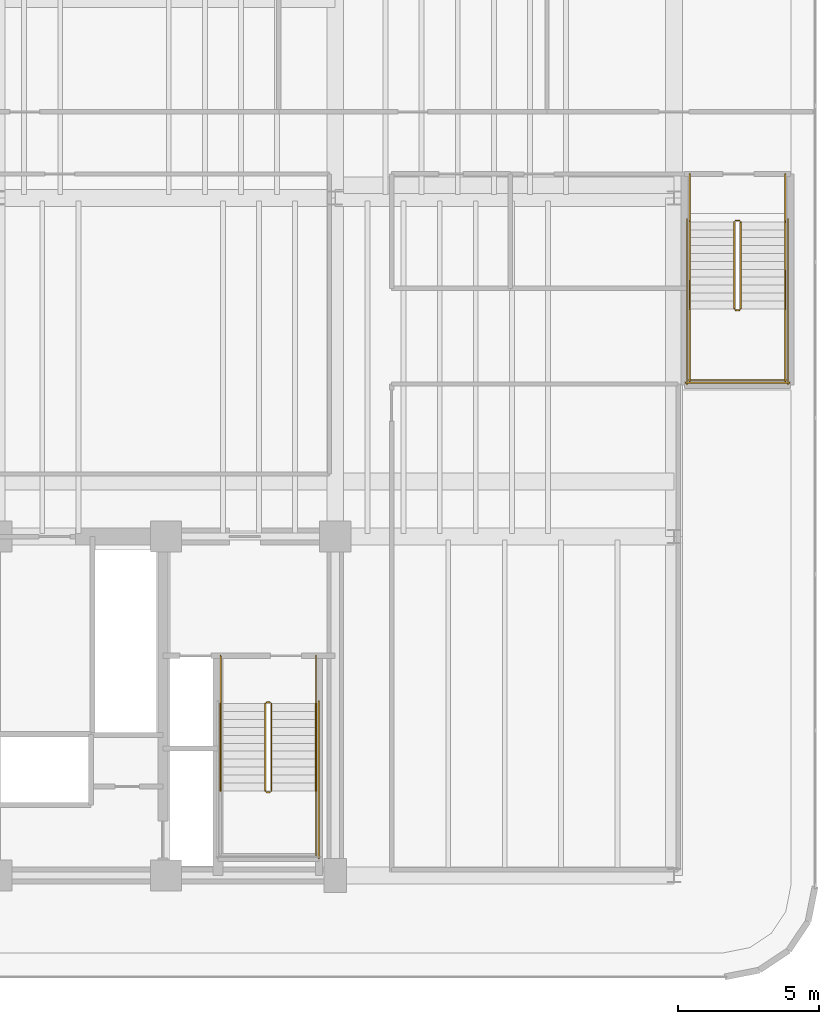
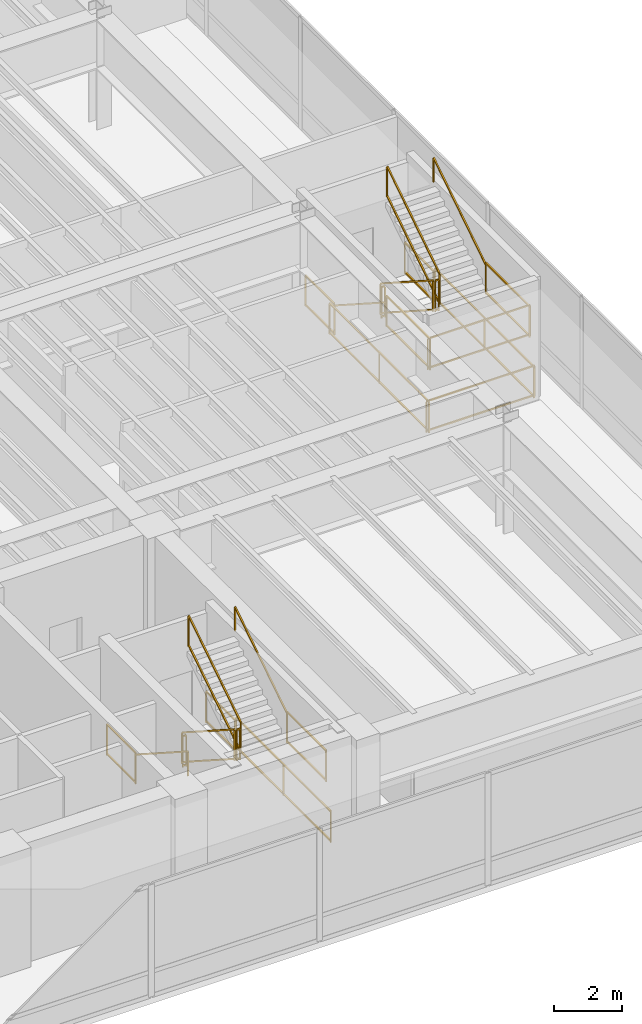
# One storey, part 19 of 19: 24 railings.
"""IFC4 building model written with IfcOpenShell, lengths in metres."""

from ifc_helpers import new_model, si_unit, direction, frame, origin, origin_2d, place, context, subcontext, project, spatial, rectangle, extrude, material, layer, layer_set, type_object, element, save


model = new_model("IFC4")

# Units and contexts
model_context = context("Model", 3, precision=1e-05, world=origin(), true_north=direction((0.0, 1.0)))
body_context = subcontext(model_context, "Body", "Model", "MODEL_VIEW")
ifc_project = project(units=[si_unit("LENGTHUNIT", "METRE"), si_unit("AREAUNIT", "SQUARE_METRE"), si_unit("VOLUMEUNIT", "CUBIC_METRE"), si_unit("PLANEANGLEUNIT", "RADIAN"), si_unit("MASSUNIT", "GRAM", prefix="KILO")], contexts=[model_context])

# Site, building, storey
site_placement = place(None, origin())
site = spatial("IfcSite", under=ifc_project, at=site_placement, CompositionType="ELEMENT")
building_placement = place(site_placement, origin())
building = spatial("IfcBuilding", under=site, at=building_placement, Name="Brelvock Crest Care Tower", CompositionType="ELEMENT")
storey_placement = place(building_placement, frame((0.0, 0.0, 18.360107421875)))
storey = spatial("IfcBuildingStorey", under=building, at=storey_placement, Name="L04", CompositionType="ELEMENT", Elevation=18.360107421875)

# Railings
ifc_material = material(Name="Steel Grade 350", Category="steel")
ifc_layer_1 = layer(ifc_material, 0.050048828125, Name="RL-STG1")
ifc_layer_set_1 = layer_set([ifc_layer_1], Name="Steel Grade 350")
railing_type_1 = type_object("IfcRailingType", Name="RL-STG1", PredefinedType="GUARDRAIL", material=ifc_layer_set_1)
railing_1_placement = place(storey_placement, frame((45.52001953125, 12.080078125, 0.179931640625)))
element("IfcRailing", 1, at=railing_1_placement, inside=storey, type_object=railing_type_1, Name="L04 ST-2 stair guard 1", PredefinedType="GUARDRAIL", context=body_context, shape_type="SweptSolid", body=[
    extrude(rectangle(XDim=0.048095703125, YDim=0.048095703125, at=origin_2d()), frame((0.0, -0.001708984375, 1.116943359375), z_axis=(0.0, -0.84118714077, 0.540744111576), x_axis=(1.0, 0.0, 0.0)), (0.0, 0.0, 1.0), 3.657470703125),
    extrude(rectangle(XDim=0.048095703125, YDim=0.048095703125, at=origin_2d()), frame((0.0, -0.001708984375, 0.05615234375), z_axis=(0.0, -0.84118714077, 0.540744111576), x_axis=(1.0, 0.0, 0.0)), (0.0, 0.0, 1.0), 3.657470703125),
    extrude(rectangle(XDim=0.0419921875, YDim=0.0419921875, at=origin_2d()), origin(), (0.0, 0.0, 1.0), 1.08984375),
    extrude(rectangle(XDim=0.0419921875, YDim=0.0419921875, at=origin_2d()), frame((0.0, -3.080078125, 1.97998046875)), (0.0, 0.0, 1.0), 1.08984375),
])
railing_2_placement = place(storey_placement, frame((45.570068359375, 8.949951171875, 2.159912109375)))
element("IfcRailing", 2, at=railing_2_placement, inside=storey, type_object=railing_type_1, Name="L04 ST-2 stair guard 2", PredefinedType="GUARDRAIL", context=body_context, shape_type="SweptSolid", body=[
    extrude(rectangle(XDim=0.048095703125, YDim=0.048095703125, at=origin_2d()), frame((0.001953125, 0.0, 1.11572265625), z_axis=(1.0, 0.0, 0.0), x_axis=(0.0, 1.0, 0.0)), (0.0, 0.0, 1.0), 0.115966796875),
    extrude(rectangle(XDim=0.048095703125, YDim=0.048095703125, at=origin_2d()), frame((0.001953125, 0.0, 0.054931640625), z_axis=(1.0, 0.0, 0.0), x_axis=(0.0, 1.0, 0.0)), (0.0, 0.0, 1.0), 0.115966796875),
    extrude(rectangle(XDim=0.0419921875, YDim=0.0419921875, at=origin_2d()), origin(), (0.0, 0.0, 1.0), 1.08984375),
    extrude(rectangle(XDim=0.0419921875, YDim=0.0419921875, at=origin_2d()), frame((0.119873046875, 0.0, 0.0)), (0.0, 0.0, 1.0), 1.08984375),
])
railing_3_placement = place(storey_placement, frame((47.320068359375, 9.0, 2.159912109375)))
element("IfcRailing", 3, at=railing_3_placement, inside=storey, type_object=railing_type_1, Name="L04 ST-2 stair guard 4", PredefinedType="GUARDRAIL", context=body_context, shape_type="SweptSolid", body=[
    extrude(rectangle(XDim=0.048095703125, YDim=0.048095703125, at=origin_2d()), frame((0.0, -0.001953125, 1.11572265625), z_axis=(0.0, -1.0, 0.0), x_axis=(1.0, 0.0, 0.0)), (0.0, 0.0, 1.0), 2.296142578125),
    extrude(rectangle(XDim=0.048095703125, YDim=0.048095703125, at=origin_2d()), frame((0.0, -0.001953125, 0.054931640625), z_axis=(0.0, -1.0, 0.0), x_axis=(1.0, 0.0, 0.0)), (0.0, 0.0, 1.0), 2.296142578125),
    extrude(rectangle(XDim=0.0419921875, YDim=0.0419921875, at=origin_2d()), origin(), (0.0, 0.0, 1.0), 1.08984375),
    extrude(rectangle(XDim=0.0419921875, YDim=0.0419921875, at=origin_2d()), frame((0.0, -2.300048828125, 0.0)), (0.0, 0.0, 1.0), 1.08984375),
])
railing_4_placement = place(storey_placement, frame((45.739990234375, 9.0, 2.33984375)))
element("IfcRailing", 4, at=railing_4_placement, inside=storey, type_object=railing_type_1, Name="L04 ST-2 stair guard 6", PredefinedType="GUARDRAIL", context=body_context, shape_type="SweptSolid", body=[
    extrude(rectangle(XDim=0.048095703125, YDim=0.048095703125, at=origin_2d()), frame((0.0, 0.001708984375, 1.116943359375), z_axis=(0.0, 0.84118714077, 0.540744111576), x_axis=(-1.0, 0.0, 0.0)), (0.0, 0.0, 1.0), 3.657470703125),
    extrude(rectangle(XDim=0.048095703125, YDim=0.048095703125, at=origin_2d()), frame((0.0, 0.001708984375, 0.05615234375), z_axis=(0.0, 0.84118714077, 0.540744111576), x_axis=(-1.0, 0.0, 0.0)), (0.0, 0.0, 1.0), 3.657470703125),
    extrude(rectangle(XDim=0.0419921875, YDim=0.0419921875, at=origin_2d()), origin(), (0.0, 0.0, 1.0), 1.08984375),
    extrude(rectangle(XDim=0.0419921875, YDim=0.0419921875, at=origin_2d()), frame((0.0, 3.080078125, 1.97998046875)), (0.0, 0.0, 1.0), 1.08984375),
])
railing_5_placement = place(storey_placement, frame((45.570068359375, 12.1298828125, 0.0)))
element("IfcRailing", 5, at=railing_5_placement, inside=storey, type_object=railing_type_1, Name="L04 ST-2 stair guard 7", PredefinedType="GUARDRAIL", context=body_context, shape_type="SweptSolid", body=[
    extrude(rectangle(XDim=0.048095703125, YDim=0.048095703125, at=origin_2d()), frame((0.001953125, 0.0, 1.11572265625), z_axis=(1.0, 0.0, 0.0), x_axis=(0.0, 1.0, 0.0)), (0.0, 0.0, 1.0), 0.115966796875),
    extrude(rectangle(XDim=0.048095703125, YDim=0.048095703125, at=origin_2d()), frame((0.001953125, 0.0, 0.054931640625), z_axis=(1.0, 0.0, 0.0), x_axis=(0.0, 1.0, 0.0)), (0.0, 0.0, 1.0), 0.115966796875),
    extrude(rectangle(XDim=0.0419921875, YDim=0.0419921875, at=origin_2d()), origin(), (0.0, 0.0, 1.0), 1.08984375),
    extrude(rectangle(XDim=0.0419921875, YDim=0.0419921875, at=origin_2d()), frame((0.119873046875, 0.0, 0.0)), (0.0, 0.0, 1.0), 1.08984375),
])
for number, where, name in (
    (6, (43.93994140625, 13.780029296875, 0.0), "L04 ST-2 stair guard 8"),
    (7, (47.320068359375, 13.780029296875, 0.0), "L04 ST-2 stair guard 9"),
):
    element("IfcRailing", number, at=place(storey_placement, frame(where)), inside=storey, type_object=railing_type_1, Name=name, PredefinedType="GUARDRAIL", context=body_context, shape_type="SweptSolid", body=[
        extrude(rectangle(XDim=0.048095703125, YDim=0.048095703125, at=origin_2d()), frame((0.0, -0.001953125, 1.11572265625), z_axis=(0.0, -1.0, 0.0), x_axis=(1.0, 0.0, 0.0)), (0.0, 0.0, 1.0), 1.696044921875),
        extrude(rectangle(XDim=0.048095703125, YDim=0.048095703125, at=origin_2d()), frame((0.0, -0.001953125, 0.054931640625), z_axis=(0.0, -1.0, 0.0), x_axis=(1.0, 0.0, 0.0)), (0.0, 0.0, 1.0), 1.696044921875),
        extrude(rectangle(XDim=0.0419921875, YDim=0.0419921875, at=origin_2d()), origin(), (0.0, 0.0, 1.0), 1.08984375),
        extrude(rectangle(XDim=0.0419921875, YDim=0.0419921875, at=origin_2d()), frame((0.0, -1.699951171875, 0.0)), (0.0, 0.0, 1.0), 1.08984375),
    ])
railing_6_placement = place(storey_placement, frame((47.419921875, 12.179931640625, 0.0)))
element("IfcRailing", 8, at=railing_6_placement, inside=storey, type_object=railing_type_1, Name="L04 ST-2 stair guard 11", PredefinedType="GUARDRAIL", context=body_context, shape_type="SweptSolid", body=[
    extrude(rectangle(XDim=0.048095703125, YDim=0.048095703125, at=origin_2d()), frame((0.0, -0.001953125, 1.11572265625), z_axis=(0.0, -1.0, 0.0), x_axis=(1.0, 0.0, 0.0)), (0.0, 0.0, 1.0), 5.575927734375),
    extrude(rectangle(XDim=0.048095703125, YDim=0.048095703125, at=origin_2d()), frame((0.0, -0.001953125, 0.054931640625), z_axis=(0.0, -1.0, 0.0), x_axis=(1.0, 0.0, 0.0)), (0.0, 0.0, 1.0), 5.575927734375),
    extrude(rectangle(XDim=0.0419921875, YDim=0.0419921875, at=origin_2d()), origin(), (0.0, 0.0, 1.0), 1.08984375),
    extrude(rectangle(XDim=0.0419921875, YDim=0.0419921875, at=origin_2d()), frame((0.0, -2.7900390625, 0.0)), (0.0, 0.0, 1.0), 1.08984375),
    extrude(rectangle(XDim=0.0419921875, YDim=0.0419921875, at=origin_2d()), frame((0.0, -5.579833984375, 0.0)), (0.0, 0.0, 1.0), 1.08984375),
])
railing_7_placement = place(storey_placement, frame((62.139892578125, 29.14990234375, 0.179931640625)))
element("IfcRailing", 9, at=railing_7_placement, inside=storey, type_object=railing_type_1, Name="L04 ST-4 stair guard 1", PredefinedType="GUARDRAIL", context=body_context, shape_type="SweptSolid", body=[
    extrude(rectangle(XDim=0.048095703125, YDim=0.048095703125, at=origin_2d()), frame((0.0, -0.001708984375, 1.116943359375), z_axis=(0.0, -0.841167642724, 0.540774441735), x_axis=(1.0, 0.0, 0.0)), (0.0, 0.0, 1.0), 3.657470703125),
    extrude(rectangle(XDim=0.048095703125, YDim=0.048095703125, at=origin_2d()), frame((0.0, -0.001708984375, 0.05615234375), z_axis=(0.0, -0.841167642724, 0.540774441735), x_axis=(1.0, 0.0, 0.0)), (0.0, 0.0, 1.0), 3.657470703125),
    extrude(rectangle(XDim=0.0419921875, YDim=0.0419921875, at=origin_2d()), origin(), (0.0, 0.0, 1.0), 1.08984375),
    extrude(rectangle(XDim=0.0419921875, YDim=0.0419921875, at=origin_2d()), frame((0.0, -3.079833984375, 1.97998046875)), (0.0, 0.0, 1.0), 1.08984375),
])
railing_8_placement = place(storey_placement, frame((62.18994140625, 26.02001953125, 2.159912109375)))
element("IfcRailing", 10, at=railing_8_placement, inside=storey, type_object=railing_type_1, Name="L04 ST-4 stair guard 2", PredefinedType="GUARDRAIL", context=body_context, shape_type="SweptSolid", body=[
    extrude(rectangle(XDim=0.048095703125, YDim=0.048095703125, at=origin_2d()), frame((0.001953125, 0.0, 1.11572265625), z_axis=(1.0, 0.0, 0.0), x_axis=(0.0, 1.0, 0.0)), (0.0, 0.0, 1.0), 0.1162109375),
    extrude(rectangle(XDim=0.048095703125, YDim=0.048095703125, at=origin_2d()), frame((0.001953125, 0.0, 0.054931640625), z_axis=(1.0, 0.0, 0.0), x_axis=(0.0, 1.0, 0.0)), (0.0, 0.0, 1.0), 0.1162109375),
    extrude(rectangle(XDim=0.0419921875, YDim=0.0419921875, at=origin_2d()), origin(), (0.0, 0.0, 1.0), 1.08984375),
    extrude(rectangle(XDim=0.0419921875, YDim=0.0419921875, at=origin_2d()), frame((0.1201171875, 0.0, 0.0)), (0.0, 0.0, 1.0), 1.08984375),
])
for number, where, name in (
    (11, (60.56005859375, 26.070068359375, 2.159912109375), "L04 ST-4 stair guard 3"),
    (12, (63.93994140625, 26.070068359375, 2.159912109375), "L04 ST-4 stair guard 4"),
):
    element("IfcRailing", number, at=place(storey_placement, frame(where)), inside=storey, type_object=railing_type_1, Name=name, PredefinedType="GUARDRAIL", context=body_context, shape_type="SweptSolid", body=[
        extrude(rectangle(XDim=0.048095703125, YDim=0.048095703125, at=origin_2d()), frame((0.0, -0.001953125, 1.11572265625), z_axis=(0.0, -1.0, 0.0), x_axis=(1.0, 0.0, 0.0)), (0.0, 0.0, 1.0), 2.566162109375),
        extrude(rectangle(XDim=0.048095703125, YDim=0.048095703125, at=origin_2d()), frame((0.0, -0.001953125, 0.054931640625), z_axis=(0.0, -1.0, 0.0), x_axis=(1.0, 0.0, 0.0)), (0.0, 0.0, 1.0), 2.566162109375),
        extrude(rectangle(XDim=0.0419921875, YDim=0.0419921875, at=origin_2d()), origin(), (0.0, 0.0, 1.0), 1.08984375),
        extrude(rectangle(XDim=0.0419921875, YDim=0.0419921875, at=origin_2d()), frame((0.0, -2.570068359375, 0.0)), (0.0, 0.0, 1.0), 1.08984375),
    ])
railing_9_placement = place(storey_placement, frame((60.510009765625, 23.550048828125, 2.159912109375)))
element("IfcRailing", 13, at=railing_9_placement, inside=storey, type_object=railing_type_1, Name="L04 ST-4 stair guard 5", PredefinedType="GUARDRAIL", context=body_context, shape_type="SweptSolid", body=[
    extrude(rectangle(XDim=0.048095703125, YDim=0.048095703125, at=origin_2d()), frame((0.001953125, 0.0, 1.11572265625), z_axis=(1.0, 0.0, 0.0), x_axis=(0.0, 1.0, 0.0)), (0.0, 0.0, 1.0), 3.47607421875),
    extrude(rectangle(XDim=0.048095703125, YDim=0.048095703125, at=origin_2d()), frame((0.001953125, 0.0, 0.054931640625), z_axis=(1.0, 0.0, 0.0), x_axis=(0.0, 1.0, 0.0)), (0.0, 0.0, 1.0), 3.47607421875),
    extrude(rectangle(XDim=0.0419921875, YDim=0.0419921875, at=origin_2d()), origin(), (0.0, 0.0, 1.0), 1.08984375),
    extrude(rectangle(XDim=0.0419921875, YDim=0.0419921875, at=origin_2d()), frame((3.47998046875, 0.0, 0.0)), (0.0, 0.0, 1.0), 1.08984375),
])
railing_10_placement = place(storey_placement, frame((62.360107421875, 26.070068359375, 2.33984375)))
element("IfcRailing", 14, at=railing_10_placement, inside=storey, type_object=railing_type_1, Name="L04 ST-4 stair guard 6", PredefinedType="GUARDRAIL", context=body_context, shape_type="SweptSolid", body=[
    extrude(rectangle(XDim=0.048095703125, YDim=0.048095703125, at=origin_2d()), frame((0.0, 0.001708984375, 1.116943359375), z_axis=(0.0, 0.841167642724, 0.540774441735), x_axis=(-1.0, 0.0, 0.0)), (0.0, 0.0, 1.0), 3.657470703125),
    extrude(rectangle(XDim=0.048095703125, YDim=0.048095703125, at=origin_2d()), frame((0.0, 0.001708984375, 0.05615234375), z_axis=(0.0, 0.841167642724, 0.540774441735), x_axis=(-1.0, 0.0, 0.0)), (0.0, 0.0, 1.0), 3.657470703125),
    extrude(rectangle(XDim=0.0419921875, YDim=0.0419921875, at=origin_2d()), origin(), (0.0, 0.0, 1.0), 1.08984375),
    extrude(rectangle(XDim=0.0419921875, YDim=0.0419921875, at=origin_2d()), frame((0.0, 3.079833984375, 1.97998046875)), (0.0, 0.0, 1.0), 1.08984375),
])
railing_11_placement = place(storey_placement, frame((62.18994140625, 29.199951171875, 0.0)))
element("IfcRailing", 15, at=railing_11_placement, inside=storey, type_object=railing_type_1, Name="L04 ST-4 stair guard 7", PredefinedType="GUARDRAIL", context=body_context, shape_type="SweptSolid", body=[
    extrude(rectangle(XDim=0.048095703125, YDim=0.048095703125, at=origin_2d()), frame((0.001953125, 0.0, 1.11572265625), z_axis=(1.0, 0.0, 0.0), x_axis=(0.0, 1.0, 0.0)), (0.0, 0.0, 1.0), 0.1162109375),
    extrude(rectangle(XDim=0.048095703125, YDim=0.048095703125, at=origin_2d()), frame((0.001953125, 0.0, 0.054931640625), z_axis=(1.0, 0.0, 0.0), x_axis=(0.0, 1.0, 0.0)), (0.0, 0.0, 1.0), 0.1162109375),
    extrude(rectangle(XDim=0.0419921875, YDim=0.0419921875, at=origin_2d()), origin(), (0.0, 0.0, 1.0), 1.08984375),
    extrude(rectangle(XDim=0.0419921875, YDim=0.0419921875, at=origin_2d()), frame((0.1201171875, 0.0, 0.0)), (0.0, 0.0, 1.0), 1.08984375),
])
for number, where, name in (
    (16, (60.56005859375, 30.85009765625, 0.0), "L04 ST-4 stair guard 8"),
    (17, (63.93994140625, 30.85009765625, 0.0), "L04 ST-4 stair guard 9"),
):
    element("IfcRailing", number, at=place(storey_placement, frame(where)), inside=storey, type_object=railing_type_1, Name=name, PredefinedType="GUARDRAIL", context=body_context, shape_type="SweptSolid", body=[
        extrude(rectangle(XDim=0.048095703125, YDim=0.048095703125, at=origin_2d()), frame((0.0, -0.001953125, 1.11572265625), z_axis=(0.0, -1.0, 0.0), x_axis=(1.0, 0.0, 0.0)), (0.0, 0.0, 1.0), 1.6962890625),
        extrude(rectangle(XDim=0.048095703125, YDim=0.048095703125, at=origin_2d()), frame((0.0, -0.001953125, 0.054931640625), z_axis=(0.0, -1.0, 0.0), x_axis=(1.0, 0.0, 0.0)), (0.0, 0.0, 1.0), 1.6962890625),
        extrude(rectangle(XDim=0.0419921875, YDim=0.0419921875, at=origin_2d()), origin(), (0.0, 0.0, 1.0), 1.08984375),
        extrude(rectangle(XDim=0.0419921875, YDim=0.0419921875, at=origin_2d()), frame((0.0, -1.7001953125, 0.0)), (0.0, 0.0, 1.0), 1.08984375),
    ])
for number, where, name in (
    (18, (60.4599609375, 29.25, 0.0), "L04 ST-4 stair guard 10"),
    (19, (64.0400390625, 29.25, 0.0), "L04 ST-4 stair guard 11"),
):
    element("IfcRailing", number, at=place(storey_placement, frame(where)), inside=storey, type_object=railing_type_1, Name=name, PredefinedType="GUARDRAIL", context=body_context, shape_type="SweptSolid", body=[
        extrude(rectangle(XDim=0.048095703125, YDim=0.048095703125, at=origin_2d()), frame((0.0, -0.001953125, 1.11572265625), z_axis=(0.0, -1.0, 0.0), x_axis=(1.0, 0.0, 0.0)), (0.0, 0.0, 1.0), 5.84619140625),
        extrude(rectangle(XDim=0.048095703125, YDim=0.048095703125, at=origin_2d()), frame((0.0, -0.001953125, 0.054931640625), z_axis=(0.0, -1.0, 0.0), x_axis=(1.0, 0.0, 0.0)), (0.0, 0.0, 1.0), 5.84619140625),
        extrude(rectangle(XDim=0.0419921875, YDim=0.0419921875, at=origin_2d()), origin(), (0.0, 0.0, 1.0), 1.08984375),
        extrude(rectangle(XDim=0.0419921875, YDim=0.0419921875, at=origin_2d()), frame((0.0, -2.925048828125, 0.0)), (0.0, 0.0, 1.0), 1.08984375),
        extrude(rectangle(XDim=0.0419921875, YDim=0.0419921875, at=origin_2d()), frame((0.0, -5.85009765625, 0.0)), (0.0, 0.0, 1.0), 1.08984375),
    ])
railing_12_placement = place(storey_placement, frame((60.409912109375, 23.449951171875, 0.0)))
element("IfcRailing", 20, at=railing_12_placement, inside=storey, type_object=railing_type_1, Name="L04 ST-4 stair guard 12", PredefinedType="GUARDRAIL", context=body_context, shape_type="SweptSolid", body=[
    extrude(rectangle(XDim=0.048095703125, YDim=0.048095703125, at=origin_2d()), frame((0.001953125, 0.0, 1.11572265625), z_axis=(1.0, 0.0, 0.0), x_axis=(0.0, 1.0, 0.0)), (0.0, 0.0, 1.0), 3.67626953125),
    extrude(rectangle(XDim=0.048095703125, YDim=0.048095703125, at=origin_2d()), frame((0.001953125, 0.0, 0.054931640625), z_axis=(1.0, 0.0, 0.0), x_axis=(0.0, 1.0, 0.0)), (0.0, 0.0, 1.0), 3.67626953125),
    extrude(rectangle(XDim=0.0419921875, YDim=0.0419921875, at=origin_2d()), origin(), (0.0, 0.0, 1.0), 1.08984375),
    extrude(rectangle(XDim=0.0419921875, YDim=0.0419921875, at=origin_2d()), frame((3.68017578125, 0.0, 0.0)), (0.0, 0.0, 1.0), 1.08984375),
])
ifc_layer_2 = layer(ifc_material, 0.048095703125, Name="RL-STH1")
ifc_layer_set_2 = layer_set([ifc_layer_2], Name="Steel Grade 350")
railing_type_2 = type_object("IfcRailingType", Name="RL-STH1", PredefinedType="HANDRAIL", material=ifc_layer_set_2)
railing_13_placement = place(storey_placement, frame((43.93994140625, 12.080078125, 0.179931640625)))
element("IfcRailing", 21, at=railing_13_placement, inside=storey, type_object=railing_type_2, Name="L04 ST-2 stair handrail 1", PredefinedType="HANDRAIL", context=body_context, shape_type="SweptSolid", body=[
    extrude(rectangle(XDim=0.048095703125, YDim=0.048095703125, at=origin_2d()), frame((0.0, -0.001708984375, 0.876953125), z_axis=(0.0, -0.84118714077, 0.540744111576), x_axis=(1.0, 0.0, 0.0)), (0.0, 0.0, 1.0), 3.657470703125),
    extrude(rectangle(XDim=0.0419921875, YDim=0.0419921875, at=origin_2d()), origin(), (0.0, 0.0, 1.0), 0.849853515625),
    extrude(rectangle(XDim=0.0419921875, YDim=0.0419921875, at=origin_2d()), frame((0.0, -3.080078125, 1.97998046875)), (0.0, 0.0, 1.0), 0.849853515625),
])
railing_14_placement = place(storey_placement, frame((47.320068359375, 9.0, 2.33984375)))
element("IfcRailing", 22, at=railing_14_placement, inside=storey, type_object=railing_type_2, Name="L04 ST-2 stair handrail 2", PredefinedType="HANDRAIL", context=body_context, shape_type="SweptSolid", body=[
    extrude(rectangle(XDim=0.048095703125, YDim=0.048095703125, at=origin_2d()), frame((0.0, 0.001708984375, 0.876953125), z_axis=(0.0, 0.84118714077, 0.540744111576), x_axis=(-1.0, 0.0, 0.0)), (0.0, 0.0, 1.0), 3.657470703125),
    extrude(rectangle(XDim=0.0419921875, YDim=0.0419921875, at=origin_2d()), origin(), (0.0, 0.0, 1.0), 0.849853515625),
    extrude(rectangle(XDim=0.0419921875, YDim=0.0419921875, at=origin_2d()), frame((0.0, 3.080078125, 1.97998046875)), (0.0, 0.0, 1.0), 0.849853515625),
])
railing_15_placement = place(storey_placement, frame((60.56005859375, 29.14990234375, 0.179931640625)))
element("IfcRailing", 23, at=railing_15_placement, inside=storey, type_object=railing_type_2, Name="L04 ST-4 stair handrail 1", PredefinedType="HANDRAIL", context=body_context, shape_type="SweptSolid", body=[
    extrude(rectangle(XDim=0.048095703125, YDim=0.048095703125, at=origin_2d()), frame((0.0, -0.001708984375, 0.876953125), z_axis=(0.0, -0.841167642724, 0.540774441735), x_axis=(1.0, 0.0, 0.0)), (0.0, 0.0, 1.0), 3.657470703125),
    extrude(rectangle(XDim=0.0419921875, YDim=0.0419921875, at=origin_2d()), origin(), (0.0, 0.0, 1.0), 0.849853515625),
    extrude(rectangle(XDim=0.0419921875, YDim=0.0419921875, at=origin_2d()), frame((0.0, -3.079833984375, 1.97998046875)), (0.0, 0.0, 1.0), 0.849853515625),
])
railing_16_placement = place(storey_placement, frame((63.93994140625, 26.070068359375, 2.33984375)))
element("IfcRailing", 24, at=railing_16_placement, inside=storey, type_object=railing_type_2, Name="L04 ST-4 stair handrail 2", PredefinedType="HANDRAIL", context=body_context, shape_type="SweptSolid", body=[
    extrude(rectangle(XDim=0.048095703125, YDim=0.048095703125, at=origin_2d()), frame((0.0, 0.001708984375, 0.876953125), z_axis=(0.0, 0.841167642724, 0.540774441735), x_axis=(-1.0, 0.0, 0.0)), (0.0, 0.0, 1.0), 3.657470703125),
    extrude(rectangle(XDim=0.0419921875, YDim=0.0419921875, at=origin_2d()), origin(), (0.0, 0.0, 1.0), 0.849853515625),
    extrude(rectangle(XDim=0.0419921875, YDim=0.0419921875, at=origin_2d()), frame((0.0, 3.079833984375, 1.97998046875)), (0.0, 0.0, 1.0), 0.849853515625),
])

save(model, "model.ifc")
